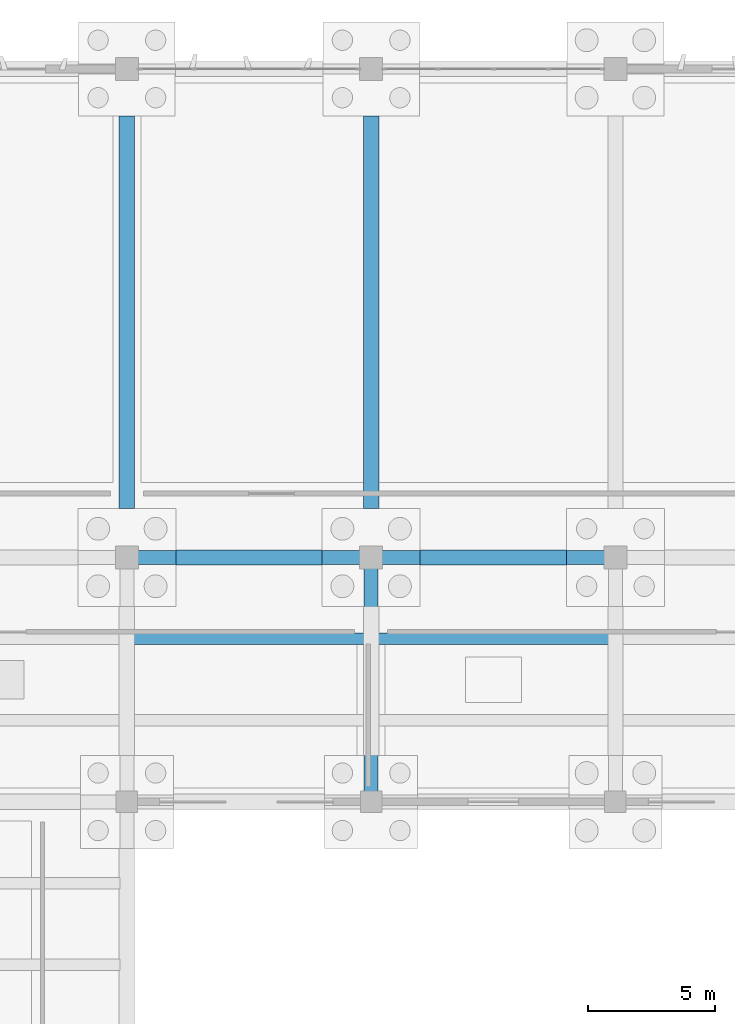
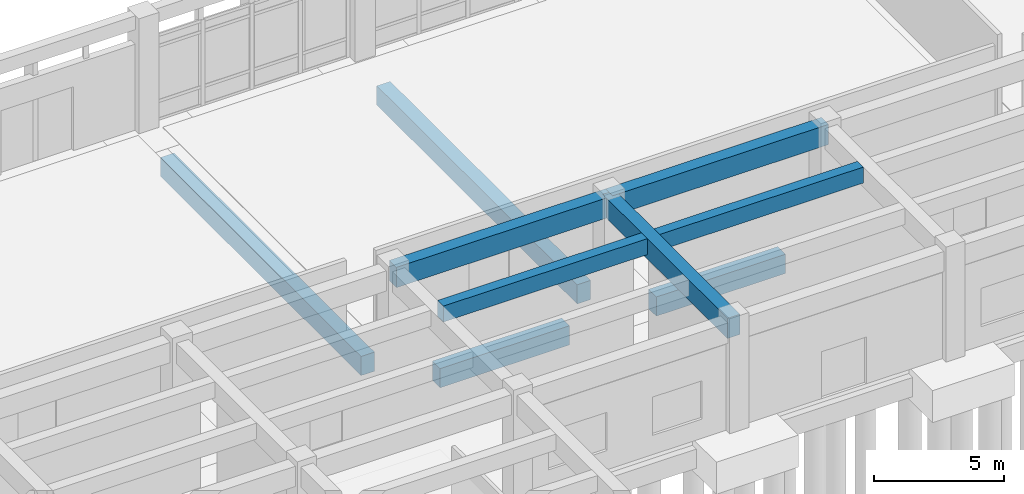
# One storey, part 35 of 102: 9 beams.
"""IFC4 building model written with IfcOpenShell, lengths in metres."""

from ifc_helpers import new_model, si_unit, direction, frame, origin, origin_2d, place, context, subcontext, project, spatial, rectangle, extrude, material, material_profile, profile_set, type_object, element, save


model = new_model("IFC4")

# Units and contexts
model_context = context("Model", 3, precision=1e-05, world=origin(), true_north=direction((0.0, 1.0)))
body_context = subcontext(model_context, "Body", "Model", "MODEL_VIEW")
ifc_project = project(units=[si_unit("LENGTHUNIT", "METRE"), si_unit("AREAUNIT", "SQUARE_METRE"), si_unit("VOLUMEUNIT", "CUBIC_METRE"), si_unit("PLANEANGLEUNIT", "RADIAN"), si_unit("MASSUNIT", "GRAM", prefix="KILO")], contexts=[model_context])

# Site, building, storey
site_placement = place(None, origin())
site = spatial("IfcSite", under=ifc_project, at=site_placement, CompositionType="ELEMENT")
building_placement = place(site_placement, origin())
building = spatial("IfcBuilding", under=site, at=building_placement, Name="Kolvemor Railside Polytechnic", CompositionType="ELEMENT")
storey_placement = place(building_placement, origin())
storey = spatial("IfcBuildingStorey", under=building, at=storey_placement, Name="L00", CompositionType="ELEMENT", Elevation=0.0)

# Beams
ifc_material_1 = material(Name="Concrete C40/50", Category="concrete")
ifc_material_profile_1 = material_profile(ifc_material_1, rectangle(XDim=0.550048828125, YDim=0.949951171875, at=origin_2d()), Name="RC550x950")
ifc_profile_set_1 = profile_set([ifc_material_profile_1], Name="Concrete C40/50")
beam_type_1 = type_object("IfcBeamType", Name="BM-RC-GIRD", PredefinedType="BEAM", material=ifc_profile_set_1)
beam_1_placement = place(storey_placement, frame((48.0, 100.800048828125, 4.635009765625), z_axis=(1.0, 0.0, 0.0), x_axis=(0.0, 1.0, 0.0)))
element("IfcBeam", 1, at=beam_1_placement, inside=storey, type_object=beam_type_1, Name="Primary Girder L01-GX 0508", PredefinedType="BEAM", context=body_context, shape_type="SweptSolid", body=[
    extrude(rectangle(XDim=0.550048828125, YDim=0.949951171875, at=origin_2d()), origin(), (0.0, 0.0, 1.0), 9.60009765625),
])
beam_2_placement = place(storey_placement, frame((57.60009765625, 100.800048828125, 4.635009765625), z_axis=(1.0, 0.0, 0.0), x_axis=(0.0, 1.0, 0.0)))
element("IfcBeam", 2, at=beam_2_placement, inside=storey, type_object=beam_type_1, Name="Primary Girder L01-GX 0509", PredefinedType="BEAM", context=body_context, shape_type="SweptSolid", body=[
    extrude(rectangle(XDim=0.550048828125, YDim=0.949951171875, at=origin_2d()), origin(), (0.0, 0.0, 1.0), 9.599853515625),
])
beam_3_placement = place(storey_placement, frame((57.60009765625, 91.199951171875, 4.635009765625), z_axis=(0.0, 1.0, 0.0), x_axis=(-1.0, 0.0, 0.0)))
element("IfcBeam", 3, at=beam_3_placement, inside=storey, type_object=beam_type_1, Name="Primary Girder L01-GY 0523", PredefinedType="BEAM", context=body_context, shape_type="SweptSolid", body=[
    extrude(rectangle(XDim=0.550048828125, YDim=0.949951171875, at=origin_2d()), origin(), (0.0, 0.0, 1.0), 9.60009765625),
])
ifc_material_2 = material(Name="Concrete C40/50", Category="concrete")
ifc_material_profile_2 = material_profile(ifc_material_2, rectangle(XDim=0.449951171875, YDim=0.75, at=origin_2d()), Name="RC450x750")
ifc_profile_set_2 = profile_set([ifc_material_profile_2], Name="Concrete C40/50")
beam_type_2 = type_object("IfcBeamType", Name="BM-RC-SEC", PredefinedType="JOIST", material=ifc_profile_set_2)
for number, where, z_axis, x_axis, name in (
    (4, (48.27490234375, 97.60009765625, 4.735107421875), (1.0, 0.0, 0.0), (0.0, 1.0, 0.0), "Floor Joist L01-J0541"),
    (5, (57.875, 97.60009765625, 4.735107421875), (1.0, 0.0, 0.0), (0.0, 1.0, 0.0), "Floor Joist L01-J0543"),
):
    element("IfcBeam", number, at=place(storey_placement, frame(where, z_axis=z_axis, x_axis=x_axis)), inside=storey, type_object=beam_type_2, Name=name, PredefinedType="JOIST", context=body_context, shape_type="SweptSolid", body=[
        extrude(rectangle(XDim=0.449951171875, YDim=0.75, at=origin_2d()), origin(), (0.0, 0.0, 1.0), 9.050048828125),
    ])
ifc_material_3 = material(Name="Concrete C40/50", Category="concrete")
ifc_material_profile_3 = material_profile(ifc_material_3, rectangle(XDim=0.60009765625, YDim=0.89990234375, at=origin_2d()), Name="RC600x900")
ifc_profile_set_3 = profile_set([ifc_material_profile_3], Name="Concrete C40/50")
beam_type_3 = type_object("IfcBeamType", Name="BM-RC-TIE", PredefinedType="BEAM", material=ifc_profile_set_3)
beam_4_placement = place(storey_placement, frame((49.927001953125, 100.800048828125, -0.75), z_axis=(1.0, 0.0, 0.0), x_axis=(0.0, 1.0, 0.0)))
element("IfcBeam", 6, at=beam_4_placement, inside=storey, type_object=beam_type_3, Name="Ground Tie Beam GTB-X203", PredefinedType="BEAM", context=body_context, shape_type="SweptSolid", body=[
    extrude(rectangle(XDim=0.60009765625, YDim=0.89990234375, at=origin_2d()), origin(), (0.0, 0.0, 1.0), 5.74609375),
])
beam_5_placement = place(storey_placement, frame((59.527099609375, 100.800048828125, -0.75), z_axis=(1.0, 0.0, 0.0), x_axis=(0.0, 1.0, 0.0)))
element("IfcBeam", 7, at=beam_5_placement, inside=storey, type_object=beam_type_3, Name="Ground Tie Beam GTB-X204", PredefinedType="BEAM", context=body_context, shape_type="SweptSolid", body=[
    extrude(rectangle(XDim=0.60009765625, YDim=0.89990234375, at=origin_2d()), origin(), (0.0, 0.0, 1.0), 5.745849609375),
])
for number, where, z_axis, x_axis, name in (
    (8, (48.0, 102.72705078125, -0.75), (0.0, 1.0, 0.0), (-1.0, 0.0, 0.0), "Ground Tie Beam GTB-Y299"),
    (9, (57.60009765625, 102.72705078125, -0.75), (0.0, 1.0, 0.0), (-1.0, 0.0, 0.0), "Ground Tie Beam GTB-Y307"),
):
    element("IfcBeam", number, at=place(storey_placement, frame(where, z_axis=z_axis, x_axis=x_axis)), inside=storey, type_object=beam_type_3, Name=name, PredefinedType="BEAM", context=body_context, shape_type="SweptSolid", body=[
        extrude(rectangle(XDim=0.60009765625, YDim=0.89990234375, at=origin_2d()), origin(), (0.0, 0.0, 1.0), 15.4208984375),
    ])

save(model, "model.ifc")
